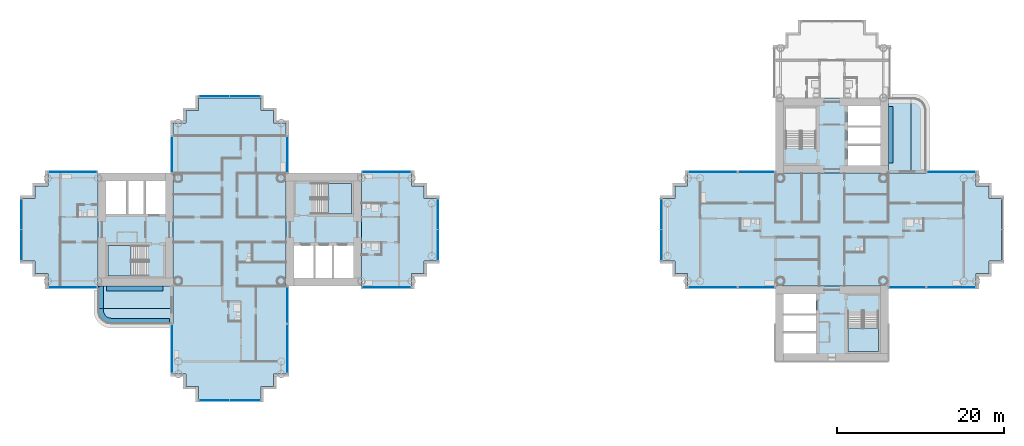
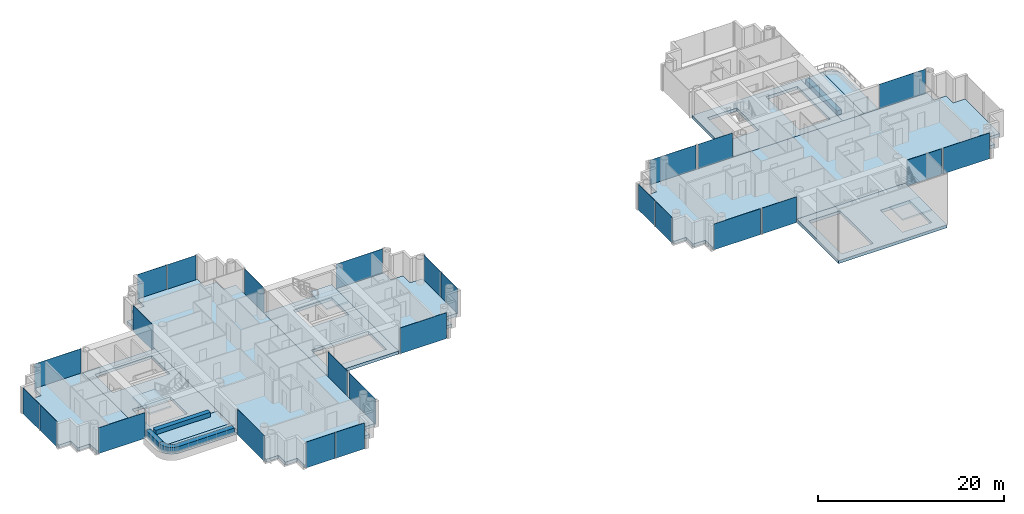
# One storey, part 7 of 21: 26 plates, 19 slabs, 24 elements without a shape of their own.
"""IFC4 building model written with IfcOpenShell, lengths in metres."""

from ifc_helpers import new_model, si_unit, direction, frame, origin, origin_2d, place, context, subcontext, project, spatial, polyline, rectangle, outline, extrude, material, layer, layer_set, type_object, element, aggregate, save


model = new_model("IFC4")

# Units and contexts
model_context = context("Model", 3, precision=1e-05, world=origin(), true_north=direction((0.0, 1.0)))
body_context = subcontext(model_context, "Body", "Model", "MODEL_VIEW")
ifc_project = project(units=[si_unit("LENGTHUNIT", "METRE"), si_unit("AREAUNIT", "SQUARE_METRE"), si_unit("VOLUMEUNIT", "CUBIC_METRE"), si_unit("PLANEANGLEUNIT", "RADIAN"), si_unit("MASSUNIT", "GRAM", prefix="KILO")], contexts=[model_context])

# Site, building, storey
site_placement = place(None, origin())
site = spatial("IfcSite", under=ifc_project, at=site_placement, CompositionType="ELEMENT")
building_placement = place(site_placement, origin())
building = spatial("IfcBuilding", under=site, at=building_placement, Name="Ipe Terrace Towers", CompositionType="ELEMENT")
storey_placement = place(building_placement, frame((0.0, 0.0, 97.0)))
storey = spatial("IfcBuildingStorey", under=building, at=storey_placement, Name="L26", CompositionType="ELEMENT", Elevation=97.0)

# Slabs
ifc_material_1 = material(Name="Concrete C30/37", Category="concrete")
ifc_layer_1 = layer(ifc_material_1, 0.199951171875)
ifc_layer_set_1 = layer_set([ifc_layer_1], Name="BALCONY SLAB 200")
slab_type_1 = type_object("IfcSlabType", Name="BALCONY SLAB 200", PredefinedType="FLOOR", material=ifc_layer_set_1)
slab_1_placement = place(storey_placement, frame((0.0, 0.0, -0.219970703125)))
element("IfcSlab", 1, at=slab_1_placement, inside=storey, type_object=slab_type_1, Name="balcony slab", PredefinedType="FLOOR", context=body_context, shape_type="SweptSolid", body=[
    extrude(outline(polyline([(-51.75, -6.75), (-51.75, -9.449951171875), (-42.75, -9.449951171875), (-42.75, -6.75), (-51.75, -6.75)])), origin(), (0.0, 0.0, 1.0), 0.199951171875),
])
slab_2_placement = place(storey_placement, frame((0.0, 0.0, -0.219970703125)))
element("IfcSlab", 2, at=slab_2_placement, inside=storey, type_object=slab_type_1, Name="balcony slab", PredefinedType="FLOOR", context=body_context, shape_type="SweptSolid", body=[
    extrude(outline(polyline([(-42.75, -11.25), (-42.75, -9.449951171875), (-51.75, -9.449951171875), (-51.75, -9.64990234375), (-51.736083984375, -9.85888671875), (-51.695068359375, -10.06396484375), (-51.6279296875, -10.261962890625), (-51.535888671875, -10.449951171875), (-51.4189453125, -10.6240234375), (-51.281005859375, -10.781005859375), (-51.1240234375, -10.9189453125), (-50.949951171875, -11.035888671875), (-50.761962890625, -11.1279296875), (-50.56396484375, -11.195068359375), (-50.35888671875, -11.236083984375), (-50.14990234375, -11.25), (-42.75, -11.25)])), origin(), (0.0, 0.0, 1.0), 0.199951171875),
])
slab_3_placement = place(storey_placement, frame((0.0, 0.0, -0.219970703125)))
element("IfcSlab", 3, at=slab_3_placement, inside=storey, type_object=slab_type_1, Name="balcony slab", PredefinedType="FLOOR", context=body_context, shape_type="SweptSolid", body=[
    extrude(outline(polyline([(42.75, 15.75), (42.75, 6.75), (45.449951171875, 6.75), (45.449951171875, 15.75), (42.75, 15.75)])), origin(), (0.0, 0.0, 1.0), 0.199951171875),
])
slab_4_placement = place(storey_placement, frame((0.0, 0.0, -0.219970703125)))
element("IfcSlab", 4, at=slab_4_placement, inside=storey, type_object=slab_type_1, Name="balcony slab", PredefinedType="FLOOR", context=body_context, shape_type="SweptSolid", body=[
    extrude(outline(polyline([(47.25, 6.75), (47.25, 14.14990234375), (47.236083984375, 14.35888671875), (47.195068359375, 14.56396484375), (47.1279296875, 14.761962890625), (47.035888671875, 14.949951171875), (46.9189453125, 15.1240234375), (46.781005859375, 15.281005859375), (46.6240234375, 15.4189453125), (46.449951171875, 15.535888671875), (46.261962890625, 15.6279296875), (46.06396484375, 15.695068359375), (45.85888671875, 15.736083984375), (45.64990234375, 15.75), (45.449951171875, 15.75), (45.449951171875, 6.75), (47.25, 6.75)])), origin(), (0.0, 0.0, 1.0), 0.199951171875),
])
ifc_material_2 = material(Name="Concrete C30/37", Category="concrete")
ifc_layer_2 = layer(ifc_material_2, 0.39990234375)
ifc_layer_set_2 = layer_set([ifc_layer_2], Name="CORE FLOOR SLAB 400 C30-37")
slab_type_2 = type_object("IfcSlabType", Name="CORE FLOOR SLAB 400 C30-37", PredefinedType="FLOOR", material=ifc_layer_set_2)
slab_5_placement = place(storey_placement, frame((0.0, 0.0, -0.39990234375)))
element("IfcSlab", 5, at=slab_5_placement, inside=storey, type_object=slab_type_2, Name="Core floor T1-C1", PredefinedType="FLOOR", context=body_context, shape_type="SweptSolid", body=[
    extrude(outline(polyline([(-29.25, -6.75), (-29.25, 6.75), (-20.25, 6.75), (-20.25, -6.75), (-29.25, -6.75)]), holes=[polyline([(-28.300048828125, -5.800048828125), (-21.199951171875, -5.800048828125), (-21.199951171875, -1.89990234375), (-28.300048828125, -1.89990234375), (-28.300048828125, -5.800048828125)]), polyline([(-26.199951171875, 5.550048828125), (-26.199951171875, 1.89990234375), (-21.449951171875, 1.89990234375), (-21.449951171875, 5.550048828125), (-26.199951171875, 5.550048828125)])]), origin(), (0.0, 0.0, 1.0), 0.39990234375),
])
slab_6_placement = place(storey_placement, frame((0.0, 0.0, -0.39990234375)))
element("IfcSlab", 6, at=slab_6_placement, inside=storey, type_object=slab_type_2, Name="Core floor T1-C2", PredefinedType="FLOOR", context=body_context, shape_type="SweptSolid", body=[
    extrude(outline(polyline([(-51.75, -6.75), (-51.75, 6.75), (-42.75, 6.75), (-42.75, -6.75), (-51.75, -6.75)]), holes=[polyline([(-45.800048828125, -5.550048828125), (-45.800048828125, -1.89990234375), (-50.550048828125, -1.89990234375), (-50.550048828125, -5.550048828125), (-45.800048828125, -5.550048828125)]), polyline([(-50.800048828125, 1.89990234375), (-43.699951171875, 1.89990234375), (-43.699951171875, 5.800048828125), (-50.800048828125, 5.800048828125), (-50.800048828125, 1.89990234375)])]), origin(), (0.0, 0.0, 1.0), 0.39990234375),
])
slab_7_placement = place(storey_placement, frame((0.0, 0.0, -0.39990234375)))
element("IfcSlab", 7, at=slab_7_placement, inside=storey, type_object=slab_type_2, Name="Core floor T2-C1", PredefinedType="FLOOR", context=body_context, shape_type="SweptSolid", body=[
    extrude(outline(polyline([(29.25, 6.75), (29.25, 15.75), (42.75, 15.75), (42.75, 6.75), (29.25, 6.75)]), holes=[polyline([(41.800048828125, 7.699951171875), (41.800048828125, 14.800048828125), (37.89990234375, 14.800048828125), (37.89990234375, 7.699951171875), (41.800048828125, 7.699951171875)]), polyline([(30.449951171875, 9.800048828125), (34.10009765625, 9.800048828125), (34.10009765625, 14.550048828125), (30.449951171875, 14.550048828125), (30.449951171875, 9.800048828125)])]), origin(), (0.0, 0.0, 1.0), 0.39990234375),
])
slab_8_placement = place(storey_placement, frame((0.0, 0.0, -0.39990234375)))
element("IfcSlab", 8, at=slab_8_placement, inside=storey, type_object=slab_type_2, Name="Core floor T2-C2", PredefinedType="FLOOR", context=body_context, shape_type="SweptSolid", body=[
    extrude(outline(polyline([(29.25, -15.75), (29.25, -6.75), (42.75, -6.75), (42.75, -15.75), (29.25, -15.75)]), holes=[polyline([(34.10009765625, -14.800048828125), (34.10009765625, -7.699951171875), (30.199951171875, -7.699951171875), (30.199951171875, -14.800048828125), (34.10009765625, -14.800048828125)]), polyline([(41.550048828125, -9.800048828125), (37.89990234375, -9.800048828125), (37.89990234375, -14.550048828125), (41.550048828125, -14.550048828125), (41.550048828125, -9.800048828125)])]), origin(), (0.0, 0.0, 1.0), 0.39990234375),
])

# Stair, slab
ifc_material_3 = material(Name="Concrete C30/37", Category="concrete")
stair_type = type_object("IfcStairType", Name="Protected exit stair", PredefinedType="HALF_TURN_STAIR", material=ifc_material_3)
stair_1_placement = place(storey_placement, origin())
stair_1 = element("IfcStair", 9, at=stair_1_placement, inside=storey, type_object=stair_type, Name="L26 Exit stair T1-C1", PredefinedType="HALF_TURN_STAIR")
ifc_material_4 = material(Name="Concrete C30/37", Category="concrete")
ifc_layer_3 = layer(ifc_material_4, 0.199951171875)
ifc_layer_set_3 = layer_set([ifc_layer_3], Name="Exit stair landing 200")
slab_type_3 = type_object("IfcSlabType", Name="Exit stair landing 200", PredefinedType="LANDING", material=ifc_layer_set_3)
slab_9_placement = place(storey_placement, frame((0.0, 0.0, 1.5)))
slab_9 = element("IfcSlab", 10, at=slab_9_placement, type_object=slab_type_3, Name="T1-ST1 landing 1", PredefinedType="LANDING", context=body_context, shape_type="SweptSolid", body=[
    extrude(outline(polyline([(-24.219970703125, 1.89990234375), (-21.449951171875, 1.89990234375), (-21.449951171875, 5.550048828125), (-24.219970703125, 5.550048828125), (-24.219970703125, 1.89990234375)])), origin(), (0.0, 0.0, 1.0), 0.199951171875),
])
aggregate(stair_1, [slab_9])

stair_2_placement = place(storey_placement, origin())
stair_2 = element("IfcStair", 11, at=stair_2_placement, inside=storey, type_object=stair_type, Name="L26 Exit stair T1-C2", PredefinedType="HALF_TURN_STAIR")
slab_10_placement = place(storey_placement, frame((0.0, 0.0, 1.5)))
slab_10 = element("IfcSlab", 12, at=slab_10_placement, type_object=slab_type_3, Name="T1-ST2 landing 1", PredefinedType="LANDING", context=body_context, shape_type="SweptSolid", body=[
    extrude(outline(polyline([(-47.780029296875, -1.89990234375), (-50.550048828125, -1.89990234375), (-50.550048828125, -5.550048828125), (-47.780029296875, -5.550048828125), (-47.780029296875, -1.89990234375)])), origin(), (0.0, 0.0, 1.0), 0.199951171875),
])
aggregate(stair_2, [slab_10])

stair_3_placement = place(storey_placement, origin())
stair_3 = element("IfcStair", 13, at=stair_3_placement, inside=storey, type_object=stair_type, Name="L26 Exit stair T2-C2", PredefinedType="HALF_TURN_STAIR")
slab_11_placement = place(storey_placement, frame((0.0, 0.0, 1.5)))
slab_11 = element("IfcSlab", 14, at=slab_11_placement, type_object=slab_type_3, Name="T2-ST2 landing 1", PredefinedType="LANDING", context=body_context, shape_type="SweptSolid", body=[
    extrude(outline(polyline([(37.89990234375, -11.780029296875), (37.89990234375, -14.550048828125), (41.550048828125, -14.550048828125), (41.550048828125, -11.780029296875), (37.89990234375, -11.780029296875)])), origin(), (0.0, 0.0, 1.0), 0.199951171875),
])
aggregate(stair_3, [slab_11])

# Slabs
ifc_material_5 = material(Name="Concrete C40/50", Category="concrete")
ifc_layer_4 = layer(ifc_material_5, 0.39990234375)
ifc_layer_set_4 = layer_set([ifc_layer_4], Name="FLAT PLATE SLAB 400 C40-50")
slab_type_4 = type_object("IfcSlabType", Name="FLAT PLATE SLAB 400 C40-50", PredefinedType="FLOOR", material=ifc_layer_set_4)
slab_12_placement = place(storey_placement, frame((0.0, 0.0, -0.39990234375)))
element("IfcSlab", 15, at=slab_12_placement, inside=storey, type_object=slab_type_4, Name="Slab T1-FS-Z21", PredefinedType="FLOOR", context=body_context, shape_type="SweptSolid", body=[
    extrude(outline(polyline([(-30.75, -17.25), (-30.75, -18.75), (-32.25, -18.75), (-32.25, -20.25), (-39.75, -20.25), (-39.75, -18.75), (-41.25, -18.75), (-41.25, -17.25), (-42.75, -17.25), (-42.75, -6.75), (-42.75, 6.75), (-42.75, 12.75), (-41.25, 12.75), (-41.25, 14.25), (-39.75, 14.25), (-39.75, 15.75), (-32.25, 15.75), (-32.25, 14.25), (-30.75, 14.25), (-30.75, 12.75), (-29.25, 12.75), (-29.25, 6.75), (-29.25, -6.75), (-29.25, -17.25), (-30.75, -17.25)])), origin(), (0.0, 0.0, 1.0), 0.39990234375),
])
slab_13_placement = place(storey_placement, frame((0.0, 0.0, -0.39990234375)))
element("IfcSlab", 16, at=slab_13_placement, inside=storey, type_object=slab_type_4, Name="Slab T1-FS-Z22", PredefinedType="FLOOR", context=body_context, shape_type="SweptSolid", body=[
    extrude(outline(polyline([(-57.75, -6.75), (-57.75, -5.25), (-59.25, -5.25), (-59.25, -3.75), (-60.75, -3.75), (-60.75, 3.75), (-59.25, 3.75), (-59.25, 5.25), (-57.75, 5.25), (-57.75, 6.75), (-51.75, 6.75), (-51.75, -6.75), (-57.75, -6.75)])), origin(), (0.0, 0.0, 1.0), 0.39990234375),
])
slab_14_placement = place(storey_placement, frame((0.0, 0.0, -0.39990234375)))
element("IfcSlab", 17, at=slab_14_placement, inside=storey, type_object=slab_type_4, Name="Slab T1-FS-Z23", PredefinedType="FLOOR", context=body_context, shape_type="SweptSolid", body=[
    extrude(outline(polyline([(-14.25, 5.25), (-12.75, 5.25), (-12.75, 3.75), (-11.25, 3.75), (-11.25, -3.75), (-12.75, -3.75), (-12.75, -5.25), (-14.25, -5.25), (-14.25, -6.75), (-20.25, -6.75), (-20.25, 6.75), (-14.25, 6.75), (-14.25, 5.25)])), origin(), (0.0, 0.0, 1.0), 0.39990234375),
])
slab_15_placement = place(storey_placement, frame((0.0, 0.0, -0.39990234375)))
element("IfcSlab", 18, at=slab_15_placement, inside=storey, type_object=slab_type_4, Name="Slab T2-FS-Z21", PredefinedType="FLOOR", context=body_context, shape_type="SweptSolid", body=[
    extrude(outline(polyline([(53.25, 5.25), (54.75, 5.25), (54.75, 3.75), (56.25, 3.75), (56.25, -3.75), (54.75, -3.75), (54.75, -5.25), (53.25, -5.25), (53.25, -6.75), (42.75, -6.75), (29.25, -6.75), (18.75, -6.75), (18.75, -5.25), (17.25, -5.25), (17.25, -3.75), (15.75, -3.75), (15.75, 3.75), (17.25, 3.75), (17.25, 5.25), (18.75, 5.25), (18.75, 6.75), (29.25, 6.75), (42.75, 6.75), (53.25, 6.75), (53.25, 5.25)])), origin(), (0.0, 0.0, 1.0), 0.39990234375),
])
ifc_material_6 = material(Name="Concrete C30/37", Category="concrete")
ifc_layer_5 = layer(ifc_material_6, 0.60009765625)
ifc_layer_set_5 = layer_set([ifc_layer_5], Name="PLANTER TROUGH 550 x 600")
slab_type_5 = type_object("IfcSlabType", Name="PLANTER TROUGH 550 x 600", PredefinedType="USERDEFINED", material=ifc_layer_set_5)
slab_16_placement = place(storey_placement, frame((0.0, 0.0, -0.02001953125)))
element("IfcSlab", 19, at=slab_16_placement, inside=storey, type_object=slab_type_5, Name="planter", ObjectType="PLANTER", PredefinedType="USERDEFINED", context=body_context, shape_type="SweptSolid", body=[
    extrude(outline(polyline([(-51.639892578125, -6.75), (-51.639892578125, -9.449951171875), (-51.090087890625, -9.449951171875), (-51.090087890625, -6.75), (-51.639892578125, -6.75)])), origin(), (0.0, 0.0, 1.0), 0.60009765625),
])
slab_17_placement = place(storey_placement, frame((0.0, 0.0, -0.02001953125)))
element("IfcSlab", 20, at=slab_17_placement, inside=storey, type_object=slab_type_5, Name="planter", ObjectType="PLANTER", PredefinedType="USERDEFINED", context=body_context, shape_type="SweptSolid", body=[
    extrude(outline(polyline([(-51.056884765625, -9.89306640625), (-51.0810546875, -9.77294921875), (-51.090087890625, -9.6279296875), (-51.090087890625, -9.449951171875), (-51.639892578125, -9.449951171875), (-51.639892578125, -9.636962890625), (-51.638916015625, -9.655029296875), (-51.6279296875, -9.825927734375), (-51.6240234375, -9.862060546875), (-51.593017578125, -10.01806640625), (-51.5830078125, -10.052978515625), (-51.531982421875, -10.202880859375), (-51.51806640625, -10.236083984375), (-51.447998046875, -10.37890625), (-51.429931640625, -10.409912109375), (-51.342041015625, -10.5419921875), (-51.320068359375, -10.570068359375), (-51.215087890625, -10.68994140625), (-51.18994140625, -10.715087890625), (-51.070068359375, -10.820068359375), (-51.0419921875, -10.842041015625), (-50.909912109375, -10.929931640625), (-50.87890625, -10.947998046875), (-50.736083984375, -11.01806640625), (-50.702880859375, -11.031982421875), (-50.552978515625, -11.0830078125), (-50.51806640625, -11.093017578125), (-50.362060546875, -11.1240234375), (-50.325927734375, -11.1279296875), (-50.155029296875, -11.138916015625), (-50.136962890625, -11.139892578125), (-43.199951171875, -11.139892578125), (-43.199951171875, -10.590087890625), (-50.1279296875, -10.590087890625), (-50.27294921875, -10.5810546875), (-50.39306640625, -10.556884765625), (-50.509033203125, -10.51708984375), (-50.618896484375, -10.462890625), (-50.720947265625, -10.39501953125), (-50.81396484375, -10.31396484375), (-50.89501953125, -10.220947265625), (-50.962890625, -10.118896484375), (-51.01708984375, -10.009033203125), (-51.056884765625, -9.89306640625)])), origin(), (0.0, 0.0, 1.0), 0.60009765625),
])
slab_18_placement = place(storey_placement, frame((0.0, 0.0, -0.02001953125)))
element("IfcSlab", 21, at=slab_18_placement, inside=storey, type_object=slab_type_5, Name="planter", ObjectType="PLANTER", PredefinedType="USERDEFINED", context=body_context, shape_type="SweptSolid", body=[
    extrude(outline(polyline([(-43.949951171875, -6.75), (-50.75, -6.75), (-50.75, -7.300048828125), (-43.949951171875, -7.300048828125), (-43.949951171875, -6.75)])), origin(), (0.0, 0.0, 1.0), 0.60009765625),
])
slab_19_placement = place(storey_placement, frame((0.0, 0.0, -0.02001953125)))
element("IfcSlab", 22, at=slab_19_placement, inside=storey, type_object=slab_type_5, Name="planter", ObjectType="PLANTER", PredefinedType="USERDEFINED", context=body_context, shape_type="SweptSolid", body=[
    extrude(outline(polyline([(42.75, 7.949951171875), (43.300048828125, 7.949951171875), (43.300048828125, 14.75), (42.75, 14.75), (42.75, 7.949951171875)])), origin(), (0.0, 0.0, 1.0), 0.60009765625),
])

# Curtain wall, plate
ifc_material_7 = material(Name="Aluminium alloy 6063-T6", Category="aluminium")
ifc_layer_6 = layer(ifc_material_7, 0.320068359375)
ifc_layer_set_6 = layer_set([ifc_layer_6], Name="TOWER UNITISED CURTAIN WALL")
curtain_wall_type = type_object("IfcCurtainWallType", Name="TOWER UNITISED CURTAIN WALL", PredefinedType="NOTDEFINED", material=ifc_layer_set_6)
curtain_wall_1_placement = place(storey_placement, origin())
curtain_wall_1 = element("IfcCurtainWall", 23, at=curtain_wall_1_placement, inside=storey, type_object=curtain_wall_type, Name="T1-CW-L26-04a curtain wall", PredefinedType="NOTDEFINED")
ifc_material_8 = material(Name="Glass, clear laminated", Category="glass")
ifc_layer_7 = layer(ifc_material_8, 0.031982421875)
ifc_layer_set_7 = layer_set([ifc_layer_7], Name="TOWER UNITISED GLASS PANEL 32")
plate_type = type_object("IfcPlateType", Name="TOWER UNITISED GLASS PANEL 32", PredefinedType="CURTAIN_PANEL", material=ifc_layer_set_7)
plate_1_placement = place(storey_placement, frame((-54.75048828125, -6.909912109375, -0.300048828125), z_axis=(0.0, 0.0, 1.0), x_axis=(1.0, 0.0, 0.0)))
plate_1 = element("IfcPlate", 24, at=plate_1_placement, type_object=plate_type, Name="T1-CW-L26-04a panel 1", PredefinedType="CURTAIN_PANEL", context=body_context, shape_type="SweptSolid", body=[
    extrude(rectangle(XDim=5.759033203125, YDim=0.031982421875, at=origin_2d()), origin(), (0.0, 0.0, 1.0), 3.39990234375),
])
aggregate(curtain_wall_1, [plate_1])

curtain_wall_2_placement = place(storey_placement, origin())
curtain_wall_2 = element("IfcCurtainWall", 25, at=curtain_wall_2_placement, inside=storey, type_object=curtain_wall_type, Name="T1-CW-L26-07a curtain wall", PredefinedType="NOTDEFINED")
plate_2_placement = place(storey_placement, frame((-42.909912109375, -14.25, -0.300048828125), z_axis=(0.0, 0.0, 1.0), x_axis=(0.0, -1.0, 0.0)))
plate_2 = element("IfcPlate", 26, at=plate_2_placement, type_object=plate_type, Name="T1-CW-L26-07a panel 1", PredefinedType="CURTAIN_PANEL", context=body_context, shape_type="SweptSolid", body=[
    extrude(rectangle(XDim=5.760009765625, YDim=0.031982421875, at=origin_2d()), origin(), (0.0, 0.0, 1.0), 3.39990234375),
])
aggregate(curtain_wall_2, [plate_2])

# Curtain wall, plates
curtain_wall_3_placement = place(storey_placement, origin())
curtain_wall_3 = element("IfcCurtainWall", 27, at=curtain_wall_3_placement, inside=storey, type_object=curtain_wall_type, Name="T1-CW-L26-12a curtain wall", PredefinedType="NOTDEFINED")
plate_3_placement = place(storey_placement, frame((-37.831298828125, -20.409912109375, -0.300048828125), z_axis=(0.0, 0.0, 1.0), x_axis=(1.0, 0.0, 0.0)))
plate_3 = element("IfcPlate", 28, at=plate_3_placement, type_object=plate_type, Name="T1-CW-L26-12a panel 1", PredefinedType="CURTAIN_PANEL", context=body_context, shape_type="SweptSolid", body=[
    extrude(rectangle(XDim=3.597412109375, YDim=0.031982421875, at=origin_2d()), origin(), (0.0, 0.0, 1.0), 3.39990234375),
])
plate_4_placement = place(storey_placement, frame((-34.168701171875, -20.409912109375, -0.300048828125), z_axis=(0.0, 0.0, 1.0), x_axis=(1.0, 0.0, 0.0)))
plate_4 = element("IfcPlate", 29, at=plate_4_placement, type_object=plate_type, Name="T1-CW-L26-12a panel 2", PredefinedType="CURTAIN_PANEL", context=body_context, shape_type="SweptSolid", body=[
    extrude(rectangle(XDim=3.597412109375, YDim=0.031982421875, at=origin_2d()), origin(), (0.0, 0.0, 1.0), 3.39990234375),
])
aggregate(curtain_wall_3, [plate_3, plate_4])

# Curtain wall, plate
curtain_wall_4_placement = place(storey_placement, origin())
curtain_wall_4 = element("IfcCurtainWall", 30, at=curtain_wall_4_placement, inside=storey, type_object=curtain_wall_type, Name="T1-CW-L26-17a curtain wall", PredefinedType="NOTDEFINED")
plate_5_placement = place(storey_placement, frame((-29.090087890625, -14.25, -0.300048828125), z_axis=(0.0, 0.0, 1.0), x_axis=(0.0, 1.0, 0.0)))
plate_5 = element("IfcPlate", 31, at=plate_5_placement, type_object=plate_type, Name="T1-CW-L26-17a panel 1", PredefinedType="CURTAIN_PANEL", context=body_context, shape_type="SweptSolid", body=[
    extrude(rectangle(XDim=5.760009765625, YDim=0.031982421875, at=origin_2d()), origin(), (0.0, 0.0, 1.0), 3.39990234375),
])
aggregate(curtain_wall_4, [plate_5])

curtain_wall_5_placement = place(storey_placement, origin())
curtain_wall_5 = element("IfcCurtainWall", 32, at=curtain_wall_5_placement, inside=storey, type_object=curtain_wall_type, Name="T1-CW-L26-18a curtain wall", PredefinedType="NOTDEFINED")
plate_6_placement = place(storey_placement, frame((-29.090087890625, -9.0, -0.300048828125), z_axis=(0.0, 0.0, 1.0), x_axis=(0.0, 1.0, 0.0)))
plate_6 = element("IfcPlate", 33, at=plate_6_placement, type_object=plate_type, Name="T1-CW-L26-18a panel 1", PredefinedType="CURTAIN_PANEL", context=body_context, shape_type="SweptSolid", body=[
    extrude(rectangle(XDim=4.260009765625, YDim=0.031982421875, at=origin_2d()), origin(), (0.0, 0.0, 1.0), 3.39990234375),
])
aggregate(curtain_wall_5, [plate_6])

curtain_wall_6_placement = place(storey_placement, origin())
curtain_wall_6 = element("IfcCurtainWall", 34, at=curtain_wall_6_placement, inside=storey, type_object=curtain_wall_type, Name="T1-CW-L26-20b curtain wall", PredefinedType="NOTDEFINED")
plate_7_placement = place(storey_placement, frame((-17.24951171875, -6.909912109375, -0.300048828125), z_axis=(0.0, 0.0, 1.0), x_axis=(1.0, 0.0, 0.0)))
plate_7 = element("IfcPlate", 35, at=plate_7_placement, type_object=plate_type, Name="T1-CW-L26-20b panel 1", PredefinedType="CURTAIN_PANEL", context=body_context, shape_type="SweptSolid", body=[
    extrude(rectangle(XDim=5.759033203125, YDim=0.031982421875, at=origin_2d()), origin(), (0.0, 0.0, 1.0), 3.39990234375),
])
aggregate(curtain_wall_6, [plate_7])

# Curtain wall, plates
curtain_wall_7_placement = place(storey_placement, origin())
curtain_wall_7 = element("IfcCurtainWall", 36, at=curtain_wall_7_placement, inside=storey, type_object=curtain_wall_type, Name="T1-CW-L26-25a curtain wall", PredefinedType="NOTDEFINED")
plate_8_placement = place(storey_placement, frame((-11.090087890625, -1.831298828125, -0.300048828125), z_axis=(0.0, 0.0, 1.0), x_axis=(0.0, 1.0, 0.0)))
plate_8 = element("IfcPlate", 37, at=plate_8_placement, type_object=plate_type, Name="T1-CW-L26-25a panel 1", PredefinedType="CURTAIN_PANEL", context=body_context, shape_type="SweptSolid", body=[
    extrude(rectangle(XDim=3.597412109375, YDim=0.031982421875, at=origin_2d()), origin(), (0.0, 0.0, 1.0), 3.39990234375),
])
plate_9_placement = place(storey_placement, frame((-11.090087890625, 1.831298828125, -0.300048828125), z_axis=(0.0, 0.0, 1.0), x_axis=(0.0, 1.0, 0.0)))
plate_9 = element("IfcPlate", 38, at=plate_9_placement, type_object=plate_type, Name="T1-CW-L26-25a panel 2", PredefinedType="CURTAIN_PANEL", context=body_context, shape_type="SweptSolid", body=[
    extrude(rectangle(XDim=3.597412109375, YDim=0.031982421875, at=origin_2d()), origin(), (0.0, 0.0, 1.0), 3.39990234375),
])
aggregate(curtain_wall_7, [plate_8, plate_9])

# Curtain wall, plate
curtain_wall_8_placement = place(storey_placement, origin())
curtain_wall_8 = element("IfcCurtainWall", 39, at=curtain_wall_8_placement, inside=storey, type_object=curtain_wall_type, Name="T1-CW-L26-30a curtain wall", PredefinedType="NOTDEFINED")
plate_10_placement = place(storey_placement, frame((-17.24951171875, 6.909912109375, -0.300048828125), z_axis=(0.0, 0.0, 1.0), x_axis=(-1.0, 0.0, 0.0)))
plate_10 = element("IfcPlate", 40, at=plate_10_placement, type_object=plate_type, Name="T1-CW-L26-30a panel 1", PredefinedType="CURTAIN_PANEL", context=body_context, shape_type="SweptSolid", body=[
    extrude(rectangle(XDim=5.759033203125, YDim=0.031982421875, at=origin_2d()), origin(), (0.0, 0.0, 1.0), 3.39990234375),
])
aggregate(curtain_wall_8, [plate_10])

curtain_wall_9_placement = place(storey_placement, origin())
curtain_wall_9 = element("IfcCurtainWall", 41, at=curtain_wall_9_placement, inside=storey, type_object=curtain_wall_type, Name="T1-CW-L26-32a curtain wall", PredefinedType="NOTDEFINED")
plate_11_placement = place(storey_placement, frame((-29.090087890625, 9.0, -0.300048828125), z_axis=(0.0, 0.0, 1.0), x_axis=(0.0, 1.0, 0.0)))
plate_11 = element("IfcPlate", 42, at=plate_11_placement, type_object=plate_type, Name="T1-CW-L26-32a panel 1", PredefinedType="CURTAIN_PANEL", context=body_context, shape_type="SweptSolid", body=[
    extrude(rectangle(XDim=4.260009765625, YDim=0.031982421875, at=origin_2d()), origin(), (0.0, 0.0, 1.0), 3.39990234375),
])
aggregate(curtain_wall_9, [plate_11])

# Curtain wall, plates
curtain_wall_10_placement = place(storey_placement, origin())
curtain_wall_10 = element("IfcCurtainWall", 43, at=curtain_wall_10_placement, inside=storey, type_object=curtain_wall_type, Name="T1-CW-L26-38a curtain wall", PredefinedType="NOTDEFINED")
plate_12_placement = place(storey_placement, frame((-34.168701171875, 15.909912109375, -0.300048828125), z_axis=(0.0, 0.0, 1.0), x_axis=(-1.0, 0.0, 0.0)))
plate_12 = element("IfcPlate", 44, at=plate_12_placement, type_object=plate_type, Name="T1-CW-L26-38a panel 1", PredefinedType="CURTAIN_PANEL", context=body_context, shape_type="SweptSolid", body=[
    extrude(rectangle(XDim=3.597412109375, YDim=0.031982421875, at=origin_2d()), origin(), (0.0, 0.0, 1.0), 3.39990234375),
])
plate_13_placement = place(storey_placement, frame((-37.831298828125, 15.909912109375, -0.300048828125), z_axis=(0.0, 0.0, 1.0), x_axis=(-1.0, 0.0, 0.0)))
plate_13 = element("IfcPlate", 45, at=plate_13_placement, type_object=plate_type, Name="T1-CW-L26-38a panel 2", PredefinedType="CURTAIN_PANEL", context=body_context, shape_type="SweptSolid", body=[
    extrude(rectangle(XDim=3.597412109375, YDim=0.031982421875, at=origin_2d()), origin(), (0.0, 0.0, 1.0), 3.39990234375),
])
aggregate(curtain_wall_10, [plate_12, plate_13])

# Curtain wall, plate
curtain_wall_11_placement = place(storey_placement, origin())
curtain_wall_11 = element("IfcCurtainWall", 46, at=curtain_wall_11_placement, inside=storey, type_object=curtain_wall_type, Name="T1-CW-L26-44a curtain wall", PredefinedType="NOTDEFINED")
plate_14_placement = place(storey_placement, frame((-42.909912109375, 9.0, -0.300048828125), z_axis=(0.0, 0.0, 1.0), x_axis=(0.0, -1.0, 0.0)))
plate_14 = element("IfcPlate", 47, at=plate_14_placement, type_object=plate_type, Name="T1-CW-L26-44a panel 1", PredefinedType="CURTAIN_PANEL", context=body_context, shape_type="SweptSolid", body=[
    extrude(rectangle(XDim=4.260009765625, YDim=0.031982421875, at=origin_2d()), origin(), (0.0, 0.0, 1.0), 3.39990234375),
])
aggregate(curtain_wall_11, [plate_14])

curtain_wall_12_placement = place(storey_placement, origin())
curtain_wall_12 = element("IfcCurtainWall", 48, at=curtain_wall_12_placement, inside=storey, type_object=curtain_wall_type, Name="T1-CW-L26-46b curtain wall", PredefinedType="NOTDEFINED")
plate_15_placement = place(storey_placement, frame((-54.75048828125, 6.909912109375, -0.300048828125), z_axis=(0.0, 0.0, 1.0), x_axis=(-1.0, 0.0, 0.0)))
plate_15 = element("IfcPlate", 49, at=plate_15_placement, type_object=plate_type, Name="T1-CW-L26-46b panel 1", PredefinedType="CURTAIN_PANEL", context=body_context, shape_type="SweptSolid", body=[
    extrude(rectangle(XDim=5.759033203125, YDim=0.031982421875, at=origin_2d()), origin(), (0.0, 0.0, 1.0), 3.39990234375),
])
aggregate(curtain_wall_12, [plate_15])

# Curtain wall, plates
curtain_wall_13_placement = place(storey_placement, origin())
curtain_wall_13 = element("IfcCurtainWall", 50, at=curtain_wall_13_placement, inside=storey, type_object=curtain_wall_type, Name="T1-CW-L26-51a curtain wall", PredefinedType="NOTDEFINED")
plate_16_placement = place(storey_placement, frame((-60.909912109375, 1.831298828125, -0.300048828125), z_axis=(0.0, 0.0, 1.0), x_axis=(0.0, -1.0, 0.0)))
plate_16 = element("IfcPlate", 51, at=plate_16_placement, type_object=plate_type, Name="T1-CW-L26-51a panel 1", PredefinedType="CURTAIN_PANEL", context=body_context, shape_type="SweptSolid", body=[
    extrude(rectangle(XDim=3.597412109375, YDim=0.031982421875, at=origin_2d()), origin(), (0.0, 0.0, 1.0), 3.39990234375),
])
plate_17_placement = place(storey_placement, frame((-60.909912109375, -1.831298828125, -0.300048828125), z_axis=(0.0, 0.0, 1.0), x_axis=(0.0, -1.0, 0.0)))
plate_17 = element("IfcPlate", 52, at=plate_17_placement, type_object=plate_type, Name="T1-CW-L26-51a panel 2", PredefinedType="CURTAIN_PANEL", context=body_context, shape_type="SweptSolid", body=[
    extrude(rectangle(XDim=3.597412109375, YDim=0.031982421875, at=origin_2d()), origin(), (0.0, 0.0, 1.0), 3.39990234375),
])
aggregate(curtain_wall_13, [plate_16, plate_17])

# Curtain wall, plate
curtain_wall_14_placement = place(storey_placement, origin())
curtain_wall_14 = element("IfcCurtainWall", 53, at=curtain_wall_14_placement, inside=storey, type_object=curtain_wall_type, Name="T2-CW-L26-02a curtain wall", PredefinedType="NOTDEFINED")
plate_18_placement = place(storey_placement, frame((45.0, -6.909912109375, -0.300048828125), z_axis=(0.0, 0.0, 1.0), x_axis=(1.0, 0.0, 0.0)))
plate_18 = element("IfcPlate", 54, at=plate_18_placement, type_object=plate_type, Name="T2-CW-L26-02a panel 1", PredefinedType="CURTAIN_PANEL", context=body_context, shape_type="SweptSolid", body=[
    extrude(rectangle(XDim=4.260009765625, YDim=0.031982421875, at=origin_2d()), origin(), (0.0, 0.0, 1.0), 3.39990234375),
])
aggregate(curtain_wall_14, [plate_18])

curtain_wall_15_placement = place(storey_placement, origin())
curtain_wall_15 = element("IfcCurtainWall", 55, at=curtain_wall_15_placement, inside=storey, type_object=curtain_wall_type, Name="T2-CW-L26-03a curtain wall", PredefinedType="NOTDEFINED")
plate_19_placement = place(storey_placement, frame((50.25, -6.909912109375, -0.300048828125), z_axis=(0.0, 0.0, 1.0), x_axis=(1.0, 0.0, 0.0)))
plate_19 = element("IfcPlate", 56, at=plate_19_placement, type_object=plate_type, Name="T2-CW-L26-03a panel 1", PredefinedType="CURTAIN_PANEL", context=body_context, shape_type="SweptSolid", body=[
    extrude(rectangle(XDim=5.760009765625, YDim=0.031982421875, at=origin_2d()), origin(), (0.0, 0.0, 1.0), 3.39990234375),
])
aggregate(curtain_wall_15, [plate_19])

curtain_wall_16_placement = place(storey_placement, origin())
curtain_wall_16 = element("IfcCurtainWall", 57, at=curtain_wall_16_placement, inside=storey, type_object=curtain_wall_type, Name="T2-CW-L26-13a curtain wall", PredefinedType="NOTDEFINED")
plate_20_placement = place(storey_placement, frame((50.25, 6.909912109375, -0.300048828125), z_axis=(0.0, 0.0, 1.0), x_axis=(-1.0, 0.0, 0.0)))
plate_20 = element("IfcPlate", 58, at=plate_20_placement, type_object=plate_type, Name="T2-CW-L26-13a panel 1", PredefinedType="CURTAIN_PANEL", context=body_context, shape_type="SweptSolid", body=[
    extrude(rectangle(XDim=5.760009765625, YDim=0.031982421875, at=origin_2d()), origin(), (0.0, 0.0, 1.0), 3.39990234375),
])
aggregate(curtain_wall_16, [plate_20])

curtain_wall_17_placement = place(storey_placement, origin())
curtain_wall_17 = element("IfcCurtainWall", 59, at=curtain_wall_17_placement, inside=storey, type_object=curtain_wall_type, Name="T2-CW-L26-28a curtain wall", PredefinedType="NOTDEFINED")
plate_21_placement = place(storey_placement, frame((27.0, 6.909912109375, -0.300048828125), z_axis=(0.0, 0.0, 1.0), x_axis=(-1.0, 0.0, 0.0)))
plate_21 = element("IfcPlate", 60, at=plate_21_placement, type_object=plate_type, Name="T2-CW-L26-28a panel 1", PredefinedType="CURTAIN_PANEL", context=body_context, shape_type="SweptSolid", body=[
    extrude(rectangle(XDim=4.260009765625, YDim=0.031982421875, at=origin_2d()), origin(), (0.0, 0.0, 1.0), 3.39990234375),
])
aggregate(curtain_wall_17, [plate_21])

curtain_wall_18_placement = place(storey_placement, origin())
curtain_wall_18 = element("IfcCurtainWall", 61, at=curtain_wall_18_placement, inside=storey, type_object=curtain_wall_type, Name="T2-CW-L26-29a curtain wall", PredefinedType="NOTDEFINED")
plate_22_placement = place(storey_placement, frame((21.75, 6.909912109375, -0.300048828125), z_axis=(0.0, 0.0, 1.0), x_axis=(-1.0, 0.0, 0.0)))
plate_22 = element("IfcPlate", 62, at=plate_22_placement, type_object=plate_type, Name="T2-CW-L26-29a panel 1", PredefinedType="CURTAIN_PANEL", context=body_context, shape_type="SweptSolid", body=[
    extrude(rectangle(XDim=5.760009765625, YDim=0.031982421875, at=origin_2d()), origin(), (0.0, 0.0, 1.0), 3.39990234375),
])
aggregate(curtain_wall_18, [plate_22])

# Curtain wall, plates
curtain_wall_19_placement = place(storey_placement, origin())
curtain_wall_19 = element("IfcCurtainWall", 63, at=curtain_wall_19_placement, inside=storey, type_object=curtain_wall_type, Name="T2-CW-L26-34a curtain wall", PredefinedType="NOTDEFINED")
plate_23_placement = place(storey_placement, frame((15.590087890625, 1.831298828125, -0.300048828125), z_axis=(0.0, 0.0, 1.0), x_axis=(0.0, -1.0, 0.0)))
plate_23 = element("IfcPlate", 64, at=plate_23_placement, type_object=plate_type, Name="T2-CW-L26-34a panel 1", PredefinedType="CURTAIN_PANEL", context=body_context, shape_type="SweptSolid", body=[
    extrude(rectangle(XDim=3.597412109375, YDim=0.031982421875, at=origin_2d()), origin(), (0.0, 0.0, 1.0), 3.39990234375),
])
plate_24_placement = place(storey_placement, frame((15.590087890625, -1.831298828125, -0.300048828125), z_axis=(0.0, 0.0, 1.0), x_axis=(0.0, -1.0, 0.0)))
plate_24 = element("IfcPlate", 65, at=plate_24_placement, type_object=plate_type, Name="T2-CW-L26-34a panel 2", PredefinedType="CURTAIN_PANEL", context=body_context, shape_type="SweptSolid", body=[
    extrude(rectangle(XDim=3.597412109375, YDim=0.031982421875, at=origin_2d()), origin(), (0.0, 0.0, 1.0), 3.39990234375),
])
aggregate(curtain_wall_19, [plate_23, plate_24])

# Curtain wall, plate
curtain_wall_20_placement = place(storey_placement, origin())
curtain_wall_20 = element("IfcCurtainWall", 66, at=curtain_wall_20_placement, inside=storey, type_object=curtain_wall_type, Name="T2-CW-L26-39a curtain wall", PredefinedType="NOTDEFINED")
plate_25_placement = place(storey_placement, frame((21.75, -6.909912109375, -0.300048828125), z_axis=(0.0, 0.0, 1.0), x_axis=(1.0, 0.0, 0.0)))
plate_25 = element("IfcPlate", 67, at=plate_25_placement, type_object=plate_type, Name="T2-CW-L26-39a panel 1", PredefinedType="CURTAIN_PANEL", context=body_context, shape_type="SweptSolid", body=[
    extrude(rectangle(XDim=5.760009765625, YDim=0.031982421875, at=origin_2d()), origin(), (0.0, 0.0, 1.0), 3.39990234375),
])
aggregate(curtain_wall_20, [plate_25])

curtain_wall_21_placement = place(storey_placement, origin())
curtain_wall_21 = element("IfcCurtainWall", 68, at=curtain_wall_21_placement, inside=storey, type_object=curtain_wall_type, Name="T2-CW-L26-40a curtain wall", PredefinedType="NOTDEFINED")
plate_26_placement = place(storey_placement, frame((27.0, -6.909912109375, -0.300048828125), z_axis=(0.0, 0.0, 1.0), x_axis=(1.0, 0.0, 0.0)))
plate_26 = element("IfcPlate", 69, at=plate_26_placement, type_object=plate_type, Name="T2-CW-L26-40a panel 1", PredefinedType="CURTAIN_PANEL", context=body_context, shape_type="SweptSolid", body=[
    extrude(rectangle(XDim=4.260009765625, YDim=0.031982421875, at=origin_2d()), origin(), (0.0, 0.0, 1.0), 3.39990234375),
])
aggregate(curtain_wall_21, [plate_26])

save(model, "model.ifc")
